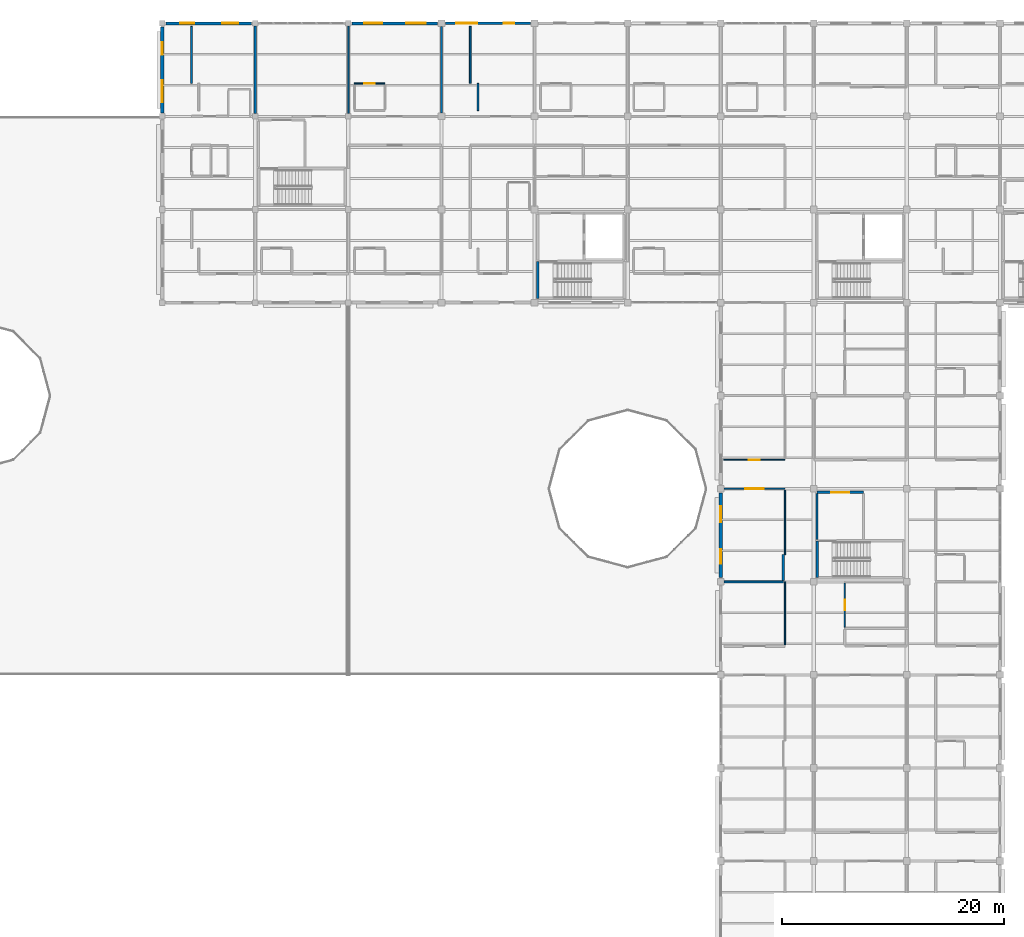
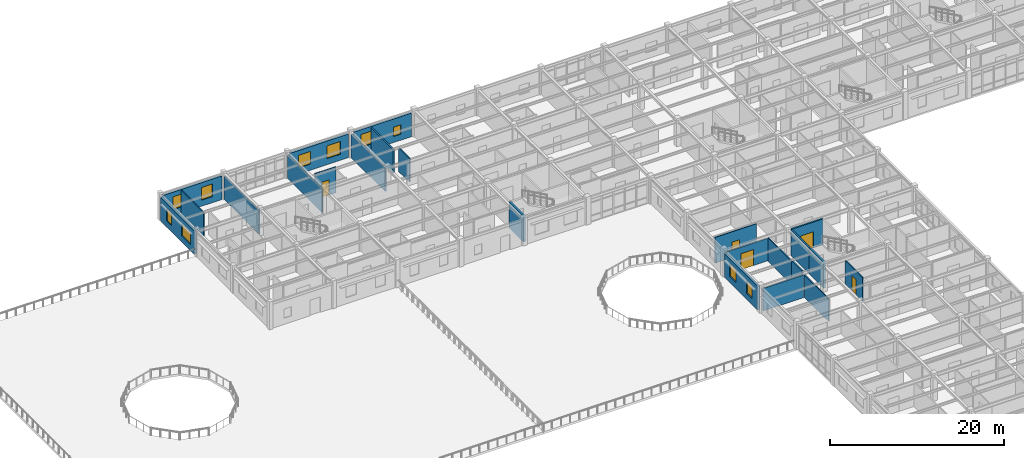
# One storey, part 58 of 86: 23 walls, 10 windows, 5 doors, 15 openings.
"""IFC4 building model written with IfcOpenShell, lengths in metres."""

from ifc_helpers import new_model, si_unit, direction, frame, frame_2d, origin, place, context, subcontext, project, spatial, rectangle, extrude, material, layer, layer_set, type_object, element, fill, save


model = new_model("IFC4")

# Units and contexts
model_context = context("Model", 3, precision=1e-05, world=origin(), true_north=direction((0.0, 1.0)))
body_context = subcontext(model_context, "Body", "Model", "MODEL_VIEW")
ifc_project = project(units=[si_unit("LENGTHUNIT", "METRE"), si_unit("AREAUNIT", "SQUARE_METRE"), si_unit("VOLUMEUNIT", "CUBIC_METRE"), si_unit("PLANEANGLEUNIT", "RADIAN"), si_unit("MASSUNIT", "GRAM", prefix="KILO")], contexts=[model_context])

# Site, building, storey
site_placement = place(None, origin())
site = spatial("IfcSite", under=ifc_project, at=site_placement, CompositionType="ELEMENT")
building_placement = place(site_placement, origin())
building = spatial("IfcBuilding", under=site, at=building_placement, Name="Bramfleet General Hospital", CompositionType="ELEMENT")
storey_placement = place(building_placement, frame((0.0, 0.0, 18.60009765625)))
storey = spatial("IfcBuildingStorey", under=building, at=storey_placement, Name="L04", CompositionType="ELEMENT", Elevation=18.60009765625)

# Wall, openings, windows
ifc_material_1 = material(Name="Precast concrete C40/50", Category="concrete")
ifc_layer_1 = layer(ifc_material_1, 0.3349609375, Name="WT-EW-03")
ifc_layer_set_1 = layer_set([ifc_layer_1], Name="Precast concrete C40/50")
wall_type_1 = type_object("IfcWallType", Name="WT-EW-03", PredefinedType="SOLIDWALL", material=ifc_layer_set_1)
wall_1_placement = place(storey_placement, frame((92.39990234375, 67.574951171875, 0.0), z_axis=(0.0, 0.0, 1.0), x_axis=(0.0, 1.0, 0.0)))
wall_1 = element("IfcWall", 1, at=wall_1_placement, inside=storey, type_object=wall_type_1, Name="L04 Exterior Wall 330", PredefinedType="SOLIDWALL", context=body_context, shape_type="SweptSolid", body=[
    extrude(rectangle(XDim=7.650146484375, YDim=0.3349609375, at=frame_2d((3.8251953125, 0.0))), origin(), (0.0, 0.0, 1.0), 3.309814453125),
])
opening_1_placement = place(wall_1_placement, frame((1.262451171875, 0.0, 0.85009765625)))
opening_1 = element("IfcOpeningElement", 2, at=opening_1_placement, cuts=wall_1, Name="Opening W-42", PredefinedType="OPENING", context=body_context, shape_type="SweptSolid", body=[
    extrude(rectangle(XDim=1.300048828125, YDim=1.780029296875, at=frame_2d((0.64990234375, 0.89013671875))), frame((0.0, 0.177490234375, 0.0), z_axis=(0.0, -1.0, 0.0), x_axis=(1.0, 0.0, 0.0)), (0.0, 0.0, 1.0), 0.35498046875),
])
opening_2_placement = place(wall_1_placement, frame((5.012451171875, 0.0, 0.85009765625)))
opening_2 = element("IfcOpeningElement", 3, at=opening_2_placement, cuts=wall_1, Name="Opening W-43", PredefinedType="OPENING", context=body_context, shape_type="SweptSolid", body=[
    extrude(rectangle(XDim=1.449951171875, YDim=1.780029296875, at=frame_2d((0.72509765625, 0.89013671875))), frame((0.0, 0.177490234375, 0.0), z_axis=(0.0, -1.0, 0.0), x_axis=(1.0, 0.0, 0.0)), (0.0, 0.0, 1.0), 0.35498046875),
])
ifc_material_2 = material(Name="Anodised aluminium and low-E triple glazing", Category="aluminium")
window_type_1 = type_object("IfcWindowType", Name="WIN-W-42", PartitioningType="SINGLE_PANEL", PredefinedType="WINDOW", material=ifc_material_2)
window_1_placement = place(opening_1_placement, origin())
window_1 = element("IfcWindow", 4, at=window_1_placement, inside=storey, type_object=window_type_1, Name="L04 Facade Window WIN-L04-330-1", OverallHeight=1.780029296875, OverallWidth=1.300048828125, PartitioningType="SINGLE_PANEL", PredefinedType="WINDOW", context=body_context, shape_type="SweptSolid", body=[
    extrude(rectangle(XDim=1.300048828125, YDim=1.780029296875, at=frame_2d((0.64990234375, 0.89013671875))), frame((0.0, 0.030029296875, 0.0), z_axis=(0.0, -1.0, 0.0), x_axis=(1.0, 0.0, 0.0)), (0.0, 0.0, 1.0), 0.06005859375),
])
fill(opening_1, window_1)
window_type_2 = type_object("IfcWindowType", Name="WIN-W-43", PartitioningType="SINGLE_PANEL", PredefinedType="WINDOW", material=ifc_material_2)
window_2_placement = place(opening_2_placement, origin())
window_2 = element("IfcWindow", 5, at=window_2_placement, inside=storey, type_object=window_type_2, Name="L04 Facade Window WIN-L04-330-2", OverallHeight=1.780029296875, OverallWidth=1.449951171875, PartitioningType="SINGLE_PANEL", PredefinedType="WINDOW", context=body_context, shape_type="SweptSolid", body=[
    extrude(rectangle(XDim=1.449951171875, YDim=1.780029296875, at=frame_2d((0.72509765625, 0.89013671875))), frame((0.0, 0.030029296875, 0.0), z_axis=(0.0, -1.0, 0.0), x_axis=(1.0, 0.0, 0.0)), (0.0, 0.0, 1.0), 0.06005859375),
])
fill(opening_2, window_2)

ifc_layer_2 = layer(ifc_material_1, 0.294921875, Name="WT-EW-05")
ifc_layer_set_2 = layer_set([ifc_layer_2], Name="Precast concrete C40/50")
wall_type_2 = type_object("IfcWallType", Name="WT-EW-05", PredefinedType="SOLIDWALL", material=ifc_layer_set_2)
wall_2_placement = place(storey_placement, frame((42.0, 109.52490234375, 0.0), z_axis=(0.0, 0.0, 1.0), x_axis=(0.0, 1.0, 0.0)))
wall_2 = element("IfcWall", 6, at=wall_2_placement, inside=storey, type_object=wall_type_2, Name="L04 Exterior Wall 283", PredefinedType="SOLIDWALL", context=body_context, shape_type="SweptSolid", body=[
    extrude(rectangle(XDim=7.75, YDim=0.294921875, at=frame_2d((3.875, 0.0))), origin(), (0.0, 0.0, 1.0), 3.2998046875),
])
opening_3_placement = place(wall_2_placement, frame((0.9375, 0.0, 0.85009765625)))
opening_3 = element("IfcOpeningElement", 7, at=opening_3_placement, cuts=wall_2, Name="Opening W-40", PredefinedType="OPENING", context=body_context, shape_type="SweptSolid", body=[
    extrude(rectangle(XDim=2.0, YDim=1.659912109375, at=frame_2d((1.0, 0.830078125))), frame((0.0, 0.157470703125, 0.0), z_axis=(0.0, -1.0, 0.0), x_axis=(1.0, 0.0, 0.0)), (0.0, 0.0, 1.0), 0.31494140625),
])
opening_4_placement = place(wall_2_placement, frame((5.237548828125, 0.0, 0.85009765625)))
opening_4 = element("IfcOpeningElement", 8, at=opening_4_placement, cuts=wall_2, Name="Opening W-41", PredefinedType="OPENING", context=body_context, shape_type="SweptSolid", body=[
    extrude(rectangle(XDim=1.14990234375, YDim=1.780029296875, at=frame_2d((0.574951171875, 0.89013671875))), frame((0.0, 0.157470703125, 0.0), z_axis=(0.0, -1.0, 0.0), x_axis=(1.0, 0.0, 0.0)), (0.0, 0.0, 1.0), 0.31494140625),
])
window_type_3 = type_object("IfcWindowType", Name="WIN-W-40", PartitioningType="SINGLE_PANEL", PredefinedType="WINDOW", material=ifc_material_2)
window_3_placement = place(opening_3_placement, origin())
window_3 = element("IfcWindow", 9, at=window_3_placement, inside=storey, type_object=window_type_3, Name="L04 Facade Window WIN-L04-283-1", OverallHeight=1.659912109375, OverallWidth=2.0, PartitioningType="SINGLE_PANEL", PredefinedType="WINDOW", context=body_context, shape_type="SweptSolid", body=[
    extrude(rectangle(XDim=2.0, YDim=1.659912109375, at=frame_2d((1.0, 0.830078125))), frame((0.0, 0.030029296875, 0.0), z_axis=(0.0, -1.0, 0.0), x_axis=(1.0, 0.0, 0.0)), (0.0, 0.0, 1.0), 0.06005859375),
])
fill(opening_3, window_3)
window_type_4 = type_object("IfcWindowType", Name="WIN-W-41", PartitioningType="SINGLE_PANEL", PredefinedType="WINDOW", material=ifc_material_2)
window_4_placement = place(opening_4_placement, origin())
window_4 = element("IfcWindow", 10, at=window_4_placement, inside=storey, type_object=window_type_4, Name="L04 Facade Window WIN-L04-283-2", OverallHeight=1.780029296875, OverallWidth=1.14990234375, PartitioningType="SINGLE_PANEL", PredefinedType="WINDOW", context=body_context, shape_type="SweptSolid", body=[
    extrude(rectangle(XDim=1.14990234375, YDim=1.780029296875, at=frame_2d((0.574951171875, 0.89013671875))), frame((0.0, 0.030029296875, 0.0), z_axis=(0.0, -1.0, 0.0), x_axis=(1.0, 0.0, 0.0)), (0.0, 0.0, 1.0), 0.06005859375),
])
fill(opening_4, window_4)

ifc_layer_3 = layer(ifc_material_1, 0.280029296875, Name="WT-EW-06")
ifc_layer_set_3 = layer_set([ifc_layer_3], Name="Precast concrete C40/50")
wall_type_3 = type_object("IfcWallType", Name="WT-EW-06", PredefinedType="SOLIDWALL", material=ifc_layer_set_3)
wall_3_placement = place(storey_placement, frame((42.324951171875, 117.60009765625, 0.0), z_axis=(0.0, 0.0, 1.0), x_axis=(1.0, 0.0, 0.0)))
wall_3 = element("IfcWall", 11, at=wall_3_placement, inside=storey, type_object=wall_type_3, Name="L04 Exterior Wall 284", PredefinedType="SOLIDWALL", context=body_context, shape_type="SweptSolid", body=[
    extrude(rectangle(XDim=7.75, YDim=0.280029296875, at=frame_2d((3.875, 0.0))), origin(), (0.0, 0.0, 1.0), 3.2998046875),
])
opening_5_placement = place(wall_3_placement, frame((1.28759765625, 0.0, 0.85009765625)))
opening_5 = element("IfcOpeningElement", 12, at=opening_5_placement, cuts=wall_3, Name="Opening W-42", PredefinedType="OPENING", context=body_context, shape_type="SweptSolid", body=[
    extrude(rectangle(XDim=1.300048828125, YDim=1.780029296875, at=frame_2d((0.64990234375, 0.89013671875))), frame((0.0, 0.14990234375, 0.0), z_axis=(0.0, -1.0, 0.0), x_axis=(1.0, 0.0, 0.0)), (0.0, 0.0, 1.0), 0.300048828125),
])
opening_6_placement = place(wall_3_placement, frame((5.08740234375, 0.0, 0.85009765625)))
opening_6 = element("IfcOpeningElement", 13, at=opening_6_placement, cuts=wall_3, Name="Opening W-43", PredefinedType="OPENING", context=body_context, shape_type="SweptSolid", body=[
    extrude(rectangle(XDim=1.449951171875, YDim=1.780029296875, at=frame_2d((0.72509765625, 0.89013671875))), frame((0.0, 0.14990234375, 0.0), z_axis=(0.0, -1.0, 0.0), x_axis=(1.0, 0.0, 0.0)), (0.0, 0.0, 1.0), 0.300048828125),
])
window_5_placement = place(opening_5_placement, origin())
window_5 = element("IfcWindow", 14, at=window_5_placement, inside=storey, type_object=window_type_1, Name="L04 Facade Window WIN-L04-284-1", OverallHeight=1.780029296875, OverallWidth=1.300048828125, PartitioningType="SINGLE_PANEL", PredefinedType="WINDOW", context=body_context, shape_type="SweptSolid", body=[
    extrude(rectangle(XDim=1.300048828125, YDim=1.780029296875, at=frame_2d((0.64990234375, 0.89013671875))), frame((0.0, 0.030029296875, 0.0), z_axis=(0.0, -1.0, 0.0), x_axis=(1.0, 0.0, 0.0)), (0.0, 0.0, 1.0), 0.06005859375),
])
fill(opening_5, window_5)
window_6_placement = place(opening_6_placement, origin())
window_6 = element("IfcWindow", 15, at=window_6_placement, inside=storey, type_object=window_type_2, Name="L04 Facade Window WIN-L04-284-2", OverallHeight=1.780029296875, OverallWidth=1.449951171875, PartitioningType="SINGLE_PANEL", PredefinedType="WINDOW", context=body_context, shape_type="SweptSolid", body=[
    extrude(rectangle(XDim=1.449951171875, YDim=1.780029296875, at=frame_2d((0.72509765625, 0.89013671875))), frame((0.0, 0.030029296875, 0.0), z_axis=(0.0, -1.0, 0.0), x_axis=(1.0, 0.0, 0.0)), (0.0, 0.0, 1.0), 0.06005859375),
])
fill(opening_6, window_6)

ifc_layer_4 = layer(ifc_material_1, 0.264892578125, Name="WT-EW-07")
ifc_layer_set_4 = layer_set([ifc_layer_4], Name="Precast concrete C40/50")
wall_type_4 = type_object("IfcWallType", Name="WT-EW-07", PredefinedType="SOLIDWALL", material=ifc_layer_set_4)
wall_4_placement = place(storey_placement, frame((59.125, 117.60009765625, 0.0), z_axis=(0.0, 0.0, 1.0), x_axis=(1.0, 0.0, 0.0)))
wall_4 = element("IfcWall", 16, at=wall_4_placement, inside=storey, type_object=wall_type_4, Name="L04 Exterior Wall 285", PredefinedType="SOLIDWALL", context=body_context, shape_type="SweptSolid", body=[
    extrude(rectangle(XDim=7.699951171875, YDim=0.264892578125, at=frame_2d((3.85009765625, 0.0))), origin(), (0.0, 0.0, 1.0), 3.309814453125),
])
opening_7_placement = place(wall_4_placement, frame((1.125, 0.0, 0.85009765625)))
opening_7 = element("IfcOpeningElement", 17, at=opening_7_placement, cuts=wall_4, Name="Opening W-44", PredefinedType="OPENING", context=body_context, shape_type="SweptSolid", body=[
    extrude(rectangle(XDim=1.60009765625, YDim=1.780029296875, at=frame_2d((0.800048828125, 0.89013671875))), frame((0.0, 0.142333984375, 0.0), z_axis=(0.0, -1.0, 0.0), x_axis=(1.0, 0.0, 0.0)), (0.0, 0.0, 1.0), 0.284912109375),
])
opening_8_placement = place(wall_4_placement, frame((4.89990234375, 0.0, 0.85009765625)))
opening_8 = element("IfcOpeningElement", 18, at=opening_8_placement, cuts=wall_4, Name="Opening W-45", PredefinedType="OPENING", context=body_context, shape_type="SweptSolid", body=[
    extrude(rectangle(XDim=1.75, YDim=1.780029296875, at=frame_2d((0.875, 0.89013671875))), frame((0.0, 0.142333984375, 0.0), z_axis=(0.0, -1.0, 0.0), x_axis=(1.0, 0.0, 0.0)), (0.0, 0.0, 1.0), 0.284912109375),
])
window_type_5 = type_object("IfcWindowType", Name="WIN-W-44", PartitioningType="SINGLE_PANEL", PredefinedType="WINDOW", material=ifc_material_2)
window_7_placement = place(opening_7_placement, origin())
window_7 = element("IfcWindow", 19, at=window_7_placement, inside=storey, type_object=window_type_5, Name="L04 Facade Window WIN-L04-285-1", OverallHeight=1.780029296875, OverallWidth=1.60009765625, PartitioningType="SINGLE_PANEL", PredefinedType="WINDOW", context=body_context, shape_type="SweptSolid", body=[
    extrude(rectangle(XDim=1.60009765625, YDim=1.780029296875, at=frame_2d((0.800048828125, 0.89013671875))), frame((0.0, 0.030029296875, 0.0), z_axis=(0.0, -1.0, 0.0), x_axis=(1.0, 0.0, 0.0)), (0.0, 0.0, 1.0), 0.06005859375),
])
fill(opening_7, window_7)
window_type_6 = type_object("IfcWindowType", Name="WIN-W-45", PartitioningType="SINGLE_PANEL", PredefinedType="WINDOW", material=ifc_material_2)
window_8_placement = place(opening_8_placement, origin())
window_8 = element("IfcWindow", 20, at=window_8_placement, inside=storey, type_object=window_type_6, Name="L04 Facade Window WIN-L04-285-2", OverallHeight=1.780029296875, OverallWidth=1.75, PartitioningType="SINGLE_PANEL", PredefinedType="WINDOW", context=body_context, shape_type="SweptSolid", body=[
    extrude(rectangle(XDim=1.75, YDim=1.780029296875, at=frame_2d((0.875, 0.89013671875))), frame((0.0, 0.030029296875, 0.0), z_axis=(0.0, -1.0, 0.0), x_axis=(1.0, 0.0, 0.0)), (0.0, 0.0, 1.0), 0.06005859375),
])
fill(opening_8, window_8)

ifc_layer_5 = layer(ifc_material_1, 0.25, Name="WT-EW-08")
ifc_layer_set_5 = layer_set([ifc_layer_5], Name="Precast concrete C40/50")
wall_type_5 = type_object("IfcWallType", Name="WT-EW-08", PredefinedType="SOLIDWALL", material=ifc_layer_set_5)
wall_5_placement = place(storey_placement, frame((67.574951171875, 117.60009765625, 0.0), z_axis=(0.0, 0.0, 1.0), x_axis=(1.0, 0.0, 0.0)))
wall_5 = element("IfcWall", 21, at=wall_5_placement, inside=storey, type_object=wall_type_5, Name="L04 Exterior Wall 286", PredefinedType="SOLIDWALL", context=body_context, shape_type="SweptSolid", body=[
    extrude(rectangle(XDim=7.650146484375, YDim=0.25, at=frame_2d((3.8251953125, 0.0))), origin(), (0.0, 0.0, 1.0), 3.309814453125),
])
opening_9_placement = place(wall_5_placement, frame((0.96240234375, 0.0, 0.85009765625)))
opening_9 = element("IfcOpeningElement", 22, at=opening_9_placement, cuts=wall_5, Name="Opening W-46", PredefinedType="OPENING", context=body_context, shape_type="SweptSolid", body=[
    extrude(rectangle(XDim=1.89990234375, YDim=1.780029296875, at=frame_2d((0.949951171875, 0.89013671875))), frame((0.0, 0.135009765625, 0.0), z_axis=(0.0, -1.0, 0.0), x_axis=(1.0, 0.0, 0.0)), (0.0, 0.0, 1.0), 0.27001953125),
])
opening_10_placement = place(wall_5_placement, frame((5.262451171875, 0.0, 0.85009765625)))
opening_10 = element("IfcOpeningElement", 23, at=opening_10_placement, cuts=wall_5, Name="Opening W-01", PredefinedType="OPENING", context=body_context, shape_type="SweptSolid", body=[
    extrude(rectangle(XDim=0.949951171875, YDim=1.300048828125, at=frame_2d((0.47509765625, 0.64990234375))), frame((0.0, 0.135009765625, 0.0), z_axis=(0.0, -1.0, 0.0), x_axis=(1.0, 0.0, 0.0)), (0.0, 0.0, 1.0), 0.27001953125),
])
window_type_7 = type_object("IfcWindowType", Name="WIN-W-01", PartitioningType="SINGLE_PANEL", PredefinedType="WINDOW", material=ifc_material_2)
window_9_placement = place(opening_10_placement, origin())
window_9 = element("IfcWindow", 24, at=window_9_placement, inside=storey, type_object=window_type_7, Name="L04 Facade Window WIN-L04-286-2", OverallHeight=1.300048828125, OverallWidth=0.949951171875, PartitioningType="SINGLE_PANEL", PredefinedType="WINDOW", context=body_context, shape_type="SweptSolid", body=[
    extrude(rectangle(XDim=0.949951171875, YDim=1.300048828125, at=frame_2d((0.47509765625, 0.64990234375))), frame((0.0, 0.030029296875, 0.0), z_axis=(0.0, -1.0, 0.0), x_axis=(1.0, 0.0, 0.0)), (0.0, 0.0, 1.0), 0.06005859375),
])
fill(opening_10, window_9)
window_type_8 = type_object("IfcWindowType", Name="WIN-W-46", PartitioningType="SINGLE_PANEL", PredefinedType="WINDOW", material=ifc_material_2)
window_10_placement = place(opening_9_placement, origin())
window_10 = element("IfcWindow", 25, at=window_10_placement, inside=storey, type_object=window_type_8, Name="L04 Facade Window WIN-L04-286-1", OverallHeight=1.780029296875, OverallWidth=1.89990234375, PartitioningType="SINGLE_PANEL", PredefinedType="WINDOW", context=body_context, shape_type="SweptSolid", body=[
    extrude(rectangle(XDim=1.89990234375, YDim=1.780029296875, at=frame_2d((0.949951171875, 0.89013671875))), frame((0.0, 0.030029296875, 0.0), z_axis=(0.0, -1.0, 0.0), x_axis=(1.0, 0.0, 0.0)), (0.0, 0.0, 1.0), 0.06005859375),
])
fill(opening_9, window_10)

# Walls
ifc_material_3 = material(Name="Concrete C35/45", Category="concrete")
ifc_layer_6 = layer(ifc_material_3, 0.219970703125, Name="WT-IW-01")
ifc_layer_set_6 = layer_set([ifc_layer_6], Name="Concrete C35/45")
wall_type_6 = type_object("IfcWallType", Name="WT-IW-01", PredefinedType="PARTITIONING", material=ifc_layer_set_6)
wall_6_placement = place(storey_placement, frame((98.050048828125, 67.31494140625, 0.0), z_axis=(0.0, 0.0, 1.0), x_axis=(0.0, 1.0, 0.0)))
element("IfcWall", 26, at=wall_6_placement, inside=storey, type_object=wall_type_6, Name="L04 Interior Partition IW-L04-3337", PredefinedType="PARTITIONING", context=body_context, shape_type="SweptSolid", body=[
    extrude(rectangle(XDim=2.3349609375, YDim=0.219970703125, at=frame_2d((1.16748046875, 0.0))), origin(), (0.0, 0.0, 1.0), 3.60986328125),
])
ifc_layer_7 = layer(ifc_material_3, 0.205078125, Name="WT-IW-02")
ifc_layer_set_7 = layer_set([ifc_layer_7], Name="Concrete C35/45")
wall_type_7 = type_object("IfcWallType", Name="WT-IW-02", PredefinedType="PARTITIONING", material=ifc_layer_set_7)
wall_7_placement = place(storey_placement, frame((101.10009765625, 71.0400390625, 0.0), z_axis=(0.0, 0.0, 1.0), x_axis=(0.0, 1.0, 0.0)))
element("IfcWall", 27, at=wall_7_placement, inside=storey, type_object=wall_type_7, Name="L04 C11 Lobby West Compartment Wall", PredefinedType="PARTITIONING", context=body_context, shape_type="SweptSolid", body=[
    extrude(rectangle(XDim=4.119873046875, YDim=0.205078125, at=frame_2d((2.06005859375, 0.0))), origin(), (0.0, 0.0, 1.0), 3.60986328125),
])

# Wall, opening, door
wall_8_placement = place(storey_placement, frame((101.10009765625, 75.280029296875, 0.0), z_axis=(0.0, 0.0, 1.0), x_axis=(1.0, 0.0, 0.0)))
wall_8 = element("IfcWall", 28, at=wall_8_placement, inside=storey, type_object=wall_type_7, Name="L04 C11 Lobby North Compartment Wall", PredefinedType="PARTITIONING", context=body_context, shape_type="SweptSolid", body=[
    extrude(rectangle(XDim=4.179931640625, YDim=0.205078125, at=frame_2d((2.08984375, 0.0))), origin(), (0.0, 0.0, 1.0), 3.60986328125),
])
opening_11_placement = place(wall_8_placement, frame((1.2900390625, 0.0, 0.0)))
opening_11 = element("IfcOpeningElement", 29, at=opening_11_placement, cuts=wall_8, Name="Opening D0148", PredefinedType="OPENING", context=body_context, shape_type="SweptSolid", body=[
    extrude(rectangle(XDim=1.60009765625, YDim=2.25, at=frame_2d((0.800048828125, 1.125))), frame((0.0, 0.112548828125, 0.0), z_axis=(0.0, -1.0, 0.0), x_axis=(1.0, 0.0, 0.0)), (0.0, 0.0, 1.0), 0.22509765625),
])
ifc_material_4 = material(Name="Stainless steel and acoustic timber leaf", Category="steel")
door_type_1 = type_object("IfcDoorType", Name="DR-D-04", OperationType="NOTDEFINED", PredefinedType="DOOR", material=ifc_material_4)
door_1_placement = place(opening_11_placement, origin())
door_1 = element("IfcDoor", 30, at=door_1_placement, inside=storey, type_object=door_type_1, Name="L04 C11 Lobby Fire Door D0148", OperationType="DOUBLE_SWING_LEFT", OverallHeight=2.25, OverallWidth=1.60009765625, PredefinedType="DOOR", context=body_context, shape_type="SweptSolid", body=[
    extrude(rectangle(XDim=1.60009765625, YDim=2.25, at=frame_2d((0.800048828125, 1.125))), frame((0.0, 0.02490234375, 0.0), z_axis=(0.0, -1.0, 0.0), x_axis=(1.0, 0.0, 0.0)), (0.0, 0.0, 1.0), 0.050048828125),
])
fill(opening_11, door_1)

# Walls
wall_9_placement = place(storey_placement, frame((50.39990234375, 109.445068359375, 0.0), z_axis=(0.0, 0.0, 1.0), x_axis=(0.0, 1.0, 0.0)))
element("IfcWall", 31, at=wall_9_placement, inside=storey, type_object=wall_type_7, Name="L04 Interior Partition IW-L04-3290", PredefinedType="PARTITIONING", context=body_context, shape_type="SweptSolid", body=[
    extrude(rectangle(XDim=7.909912109375, YDim=0.205078125, at=frame_2d((3.955078125, 0.0))), origin(), (0.0, 0.0, 1.0), 3.25),
])
wall_10_placement = place(storey_placement, frame((67.199951171875, 109.4951171875, 0.0), z_axis=(0.0, 0.0, 1.0), x_axis=(0.0, 1.0, 0.0)))
element("IfcWall", 32, at=wall_10_placement, inside=storey, type_object=wall_type_7, Name="L04 Interior Partition IW-L04-3302", PredefinedType="PARTITIONING", context=body_context, shape_type="SweptSolid", body=[
    extrude(rectangle(XDim=7.809814453125, YDim=0.205078125, at=frame_2d((3.90478515625, 0.0))), origin(), (0.0, 0.0, 1.0), 3.260009765625),
])
ifc_material_5 = material(Name="Gypsum plasterboard on acoustic steel studs", Category="steel")
ifc_layer_8 = layer(ifc_material_5, 0.169921875, Name="WT-IW-05")
ifc_layer_set_8 = layer_set([ifc_layer_8], Name="Gypsum plasterboard on acoustic steel studs")
wall_type_8 = type_object("IfcWallType", Name="WT-IW-05", PredefinedType="PARTITIONING", material=ifc_layer_set_8)
wall_11_placement = place(storey_placement, frame((92.695068359375, 67.199951171875, 0.0), z_axis=(0.0, 0.0, 1.0), x_axis=(1.0, 0.0, 0.0)))
element("IfcWall", 33, at=wall_11_placement, inside=storey, type_object=wall_type_8, Name="L04 Interior Partition IW-L04-3161", PredefinedType="PARTITIONING", context=body_context, shape_type="SweptSolid", body=[
    extrude(rectangle(XDim=5.35498046875, YDim=0.169921875, at=frame_2d((2.677490234375, 0.0))), origin(), (0.0, 0.0, 1.0), 3.159912109375),
])
wall_12_placement = place(storey_placement, frame((69.800048828125, 112.169921875, 0.0), z_axis=(0.0, 0.0, 1.0), x_axis=(0.0, 1.0, 0.0)))
element("IfcWall", 34, at=wall_12_placement, inside=storey, type_object=wall_type_8, Name="L04 Interior Partition IW-L04-3305", PredefinedType="PARTITIONING", context=body_context, shape_type="SweptSolid", body=[
    extrude(rectangle(XDim=5.150146484375, YDim=0.169921875, at=frame_2d((2.5751953125, 0.0))), origin(), (0.0, 0.0, 1.0), 3.309814453125),
])
ifc_layer_9 = layer(ifc_material_5, 0.159912109375, Name="WT-IW-06")
ifc_layer_set_9 = layer_set([ifc_layer_9], Name="Gypsum plasterboard on acoustic steel studs")
wall_type_9 = type_object("IfcWallType", Name="WT-IW-06", PredefinedType="PARTITIONING", material=ifc_layer_set_9)
wall_13_placement = place(storey_placement, frame((44.64990234375, 112.169921875, 0.0), z_axis=(0.0, 0.0, 1.0), x_axis=(0.0, 1.0, 0.0)))
element("IfcWall", 35, at=wall_13_placement, inside=storey, type_object=wall_type_9, Name="L04 Interior Partition IW-L04-3282", PredefinedType="PARTITIONING", context=body_context, shape_type="SweptSolid", body=[
    extrude(rectangle(XDim=5.150146484375, YDim=0.159912109375, at=frame_2d((2.5751953125, 0.0))), origin(), (0.0, 0.0, 1.0), 3.2998046875),
])
ifc_layer_10 = layer(ifc_material_5, 0.14990234375, Name="WT-IW-07")
ifc_layer_set_10 = layer_set([ifc_layer_10], Name="Gypsum plasterboard on acoustic steel studs")
wall_type_10 = type_object("IfcWallType", Name="WT-IW-07", PredefinedType="PARTITIONING", material=ifc_layer_set_10)
wall_14_placement = place(storey_placement, frame((58.800048828125, 109.445068359375, 0.0), z_axis=(0.0, 0.0, 1.0), x_axis=(0.0, 1.0, 0.0)))
element("IfcWall", 36, at=wall_14_placement, inside=storey, type_object=wall_type_10, Name="L04 Interior Partition IW-L04-3295", PredefinedType="PARTITIONING", context=body_context, shape_type="SweptSolid", body=[
    extrude(rectangle(XDim=7.909912109375, YDim=0.14990234375, at=frame_2d((3.955078125, 0.0))), origin(), (0.0, 0.0, 1.0), 3.260009765625),
])
wall_15_placement = place(storey_placement, frame((70.5, 109.719970703125, 0.0), z_axis=(0.0, 0.0, 1.0), x_axis=(0.0, 1.0, 0.0)))
element("IfcWall", 37, at=wall_15_placement, inside=storey, type_object=wall_type_10, Name="L04 Interior Partition IW-L04-3307", PredefinedType="PARTITIONING", context=body_context, shape_type="SweptSolid", body=[
    extrude(rectangle(XDim=2.449951171875, YDim=0.14990234375, at=frame_2d((1.22509765625, 0.0))), origin(), (0.0, 0.0, 1.0), 3.309814453125),
])

# Wall, opening, door
ifc_layer_11 = layer(ifc_material_5, 0.1201171875, Name="WT-IW-10")
ifc_layer_set_11 = layer_set([ifc_layer_11], Name="Gypsum plasterboard on acoustic steel studs")
wall_type_11 = type_object("IfcWallType", Name="WT-IW-10", PredefinedType="PARTITIONING", material=ifc_layer_set_11)
wall_16_placement = place(storey_placement, frame((92.695068359375, 75.60009765625, 0.0), z_axis=(0.0, 0.0, 1.0), x_axis=(1.0, 0.0, 0.0)))
wall_16 = element("IfcWall", 38, at=wall_16_placement, inside=storey, type_object=wall_type_11, Name="L04 Interior Partition IW-L04-3166", PredefinedType="PARTITIONING", context=body_context, shape_type="SweptSolid", body=[
    extrude(rectangle(XDim=5.5048828125, YDim=0.1201171875, at=frame_2d((2.75244140625, 0.0))), origin(), (0.0, 0.0, 1.0), 3.159912109375),
])
opening_12_placement = place(wall_16_placement, frame((1.902587890625, 0.0, 0.0)))
opening_12 = element("IfcOpeningElement", 39, at=opening_12_placement, cuts=wall_16, Name="Opening D1255", PredefinedType="OPENING", context=body_context, shape_type="SweptSolid", body=[
    extrude(rectangle(XDim=1.699951171875, YDim=2.25, at=frame_2d((0.85009765625, 1.125))), frame((0.0, 0.070068359375, 0.0), z_axis=(0.0, -1.0, 0.0), x_axis=(1.0, 0.0, 0.0)), (0.0, 0.0, 1.0), 0.14013671875),
])
door_type_2 = type_object("IfcDoorType", Name="DR-D-07", OperationType="NOTDEFINED", PredefinedType="DOOR", material=ifc_material_4)
door_2_placement = place(opening_12_placement, origin())
door_2 = element("IfcDoor", 40, at=door_2_placement, inside=storey, type_object=door_type_2, Name="Surgical Inpatient Ward Bedroom L04-1108 Door D1255", OperationType="DOUBLE_SWING_RIGHT", OverallHeight=2.25, OverallWidth=1.699951171875, PredefinedType="DOOR", context=body_context, shape_type="SweptSolid", body=[
    extrude(rectangle(XDim=1.699951171875, YDim=2.25, at=frame_2d((0.85009765625, 1.125))), frame((0.0, 0.02490234375, 0.0), z_axis=(0.0, -1.0, 0.0), x_axis=(1.0, 0.0, 0.0)), (0.0, 0.0, 1.0), 0.050048828125),
])
fill(opening_12, door_2)

wall_17_placement = place(storey_placement, frame((59.35009765625, 112.169921875, 0.0), z_axis=(0.0, 0.0, 1.0), x_axis=(1.0, 0.0, 0.0)))
wall_17 = element("IfcWall", 41, at=wall_17_placement, inside=storey, type_object=wall_type_11, Name="L04 Interior Partition IW-L04-3270", PredefinedType="PARTITIONING", context=body_context, shape_type="SweptSolid", body=[
    extrude(rectangle(XDim=2.75, YDim=0.1201171875, at=frame_2d((1.375, 0.0))), origin(), (0.0, 0.0, 1.0), 3.60986328125),
])
opening_13_placement = place(wall_17_placement, frame((0.89990234375, 0.0, 0.0)))
opening_13 = element("IfcOpeningElement", 42, at=opening_13_placement, cuts=wall_17, Name="Opening D1232", PredefinedType="OPENING", context=body_context, shape_type="SweptSolid", body=[
    extrude(rectangle(XDim=0.949951171875, YDim=2.10009765625, at=frame_2d((0.47509765625, 1.050048828125))), frame((0.0, 0.070068359375, 0.0), z_axis=(0.0, -1.0, 0.0), x_axis=(1.0, 0.0, 0.0)), (0.0, 0.0, 1.0), 0.14013671875),
])
door_type_3 = type_object("IfcDoorType", Name="DR-D-10", OperationType="NOTDEFINED", PredefinedType="DOOR", material=ifc_material_4)
door_3_placement = place(opening_13_placement, origin())
door_3 = element("IfcDoor", 43, at=door_3_placement, inside=storey, type_object=door_type_3, Name="En-Suite Bathroom L04-0713 Door D1232", OperationType="SINGLE_SWING_LEFT", OverallHeight=2.10009765625, OverallWidth=0.949951171875, PredefinedType="DOOR", context=body_context, shape_type="SweptSolid", body=[
    extrude(rectangle(XDim=0.949951171875, YDim=2.10009765625, at=frame_2d((0.47509765625, 1.050048828125))), frame((0.0, 0.02490234375, 0.0), z_axis=(0.0, -1.0, 0.0), x_axis=(1.0, 0.0, 0.0)), (0.0, 0.0, 1.0), 0.050048828125),
])
fill(opening_13, door_3)

# Wall
wall_18_placement = place(storey_placement, frame((98.199951171875, 61.514892578125, 0.0), z_axis=(0.0, 0.0, 1.0), x_axis=(0.0, 1.0, 0.0)))
element("IfcWall", 44, at=wall_18_placement, inside=storey, type_object=wall_type_11, Name="L04 Interior Partition IW-L04-3346", PredefinedType="PARTITIONING", context=body_context, shape_type="SweptSolid", body=[
    extrude(rectangle(XDim=5.68505859375, YDim=0.1201171875, at=frame_2d((2.842529296875, 0.0))), origin(), (0.0, 0.0, 1.0), 3.159912109375),
])

# Wall, opening, door
wall_19_placement = place(storey_placement, frame((103.60009765625, 63.114990234375, 0.0), z_axis=(0.0, 0.0, 1.0), x_axis=(0.0, 1.0, 0.0)))
wall_19 = element("IfcWall", 45, at=wall_19_placement, inside=storey, type_object=wall_type_11, Name="L04 Interior Partition IW-L04-3363", PredefinedType="PARTITIONING", context=body_context, shape_type="SweptSolid", body=[
    extrude(rectangle(XDim=3.969970703125, YDim=0.1201171875, at=frame_2d((1.98486328125, 0.0))), origin(), (0.0, 0.0, 1.0), 3.309814453125),
])
opening_14_placement = place(wall_19_placement, frame((1.510009765625, 0.0, 0.0)))
opening_14 = element("IfcOpeningElement", 46, at=opening_14_placement, cuts=wall_19, Name="Opening D1269", PredefinedType="OPENING", context=body_context, shape_type="SweptSolid", body=[
    extrude(rectangle(XDim=0.949951171875, YDim=2.10009765625, at=frame_2d((0.47509765625, 1.050048828125))), frame((0.0, 0.070068359375, 0.0), z_axis=(0.0, -1.0, 0.0), x_axis=(1.0, 0.0, 0.0)), (0.0, 0.0, 1.0), 0.14013671875),
])
door_4_placement = place(opening_14_placement, origin())
door_4 = element("IfcDoor", 47, at=door_4_placement, inside=storey, type_object=door_type_3, Name="L04 Accessible and Staff WC 1207 Door D1269", OperationType="SINGLE_SWING_LEFT", OverallHeight=2.10009765625, OverallWidth=0.949951171875, PredefinedType="DOOR", context=body_context, shape_type="SweptSolid", body=[
    extrude(rectangle(XDim=0.949951171875, YDim=2.10009765625, at=frame_2d((0.47509765625, 1.050048828125))), frame((0.0, 0.02490234375, 0.0), z_axis=(0.0, -1.0, 0.0), x_axis=(1.0, 0.0, 0.0)), (0.0, 0.0, 1.0), 0.050048828125),
])
fill(opening_14, door_4)

# Wall
ifc_layer_12 = layer(ifc_material_5, 0.112060546875, Name="WT-IW-11")
ifc_layer_set_12 = layer_set([ifc_layer_12], Name="Gypsum plasterboard on acoustic steel studs")
wall_type_12 = type_object("IfcWallType", Name="WT-IW-11", PredefinedType="PARTITIONING", material=ifc_layer_set_12)
wall_20_placement = place(storey_placement, frame((98.199951171875, 69.64990234375, 0.0), z_axis=(0.0, 0.0, 1.0), x_axis=(0.0, 1.0, 0.0)))
element("IfcWall", 48, at=wall_20_placement, inside=storey, type_object=wall_type_12, Name="L04 Interior Partition IW-L04-3347", PredefinedType="PARTITIONING", context=body_context, shape_type="SweptSolid", body=[
    extrude(rectangle(XDim=5.835205078125, YDim=0.112060546875, at=frame_2d((2.91748046875, 0.0))), origin(), (0.0, 0.0, 1.0), 3.309814453125),
])

# Wall, opening, door
ifc_layer_13 = layer(ifc_material_5, 0.10009765625, Name="WT-IW-12")
ifc_layer_set_13 = layer_set([ifc_layer_13], Name="Gypsum plasterboard on acoustic steel studs")
wall_type_13 = type_object("IfcWallType", Name="WT-IW-12", PredefinedType="PARTITIONING", material=ifc_layer_set_13)
wall_21_placement = place(storey_placement, frame((92.679931640625, 78.199951171875, 0.0), z_axis=(0.0, 0.0, 1.0), x_axis=(1.0, 0.0, 0.0)))
wall_21 = element("IfcWall", 49, at=wall_21_placement, inside=storey, type_object=wall_type_13, Name="L04 Interior Partition IW-L04-3168", PredefinedType="PARTITIONING", context=body_context, shape_type="SweptSolid", body=[
    extrude(rectangle(XDim=5.52001953125, YDim=0.10009765625, at=frame_2d((2.760009765625, 0.0))), origin(), (0.0, 0.0, 1.0), 3.60986328125),
])
opening_15_placement = place(wall_21_placement, frame((2.260009765625, 0.0, 0.0)))
opening_15 = element("IfcOpeningElement", 50, at=opening_15_placement, cuts=wall_21, Name="Opening D1256", PredefinedType="OPENING", context=body_context, shape_type="SweptSolid", body=[
    extrude(rectangle(XDim=1.0, YDim=2.14990234375, at=frame_2d((0.5, 1.074951171875))), frame((0.0, 0.06005859375, 0.0), z_axis=(0.0, -1.0, 0.0), x_axis=(1.0, 0.0, 0.0)), (0.0, 0.0, 1.0), 0.1201171875),
])
door_type_4 = type_object("IfcDoorType", Name="DR-D-08", OperationType="NOTDEFINED", PredefinedType="DOOR", material=ifc_material_4)
door_5_placement = place(opening_15_placement, origin())
door_5 = element("IfcDoor", 51, at=door_5_placement, inside=storey, type_object=door_type_4, Name="Surgical Inpatient Ward Bedroom L04-1109 Door D1256", OperationType="SINGLE_SWING_LEFT", OverallHeight=2.14990234375, OverallWidth=1.0, PredefinedType="DOOR", context=body_context, shape_type="SweptSolid", body=[
    extrude(rectangle(XDim=1.0, YDim=2.14990234375, at=frame_2d((0.5, 1.074951171875))), frame((0.0, 0.02490234375, 0.0), z_axis=(0.0, -1.0, 0.0), x_axis=(1.0, 0.0, 0.0)), (0.0, 0.0, 1.0), 0.050048828125),
])
fill(opening_15, door_5)

# Walls
ifc_material_6 = material(Name="Concrete C40/50", Category="concrete")
ifc_layer_14 = layer(ifc_material_6, 0.239990234375, Name="WT-SW-240")
ifc_layer_set_14 = layer_set([ifc_layer_14], Name="Concrete C40/50")
wall_type_14 = type_object("IfcWallType", Name="WT-SW-240", PredefinedType="SHEAR", material=ifc_layer_set_14)
wall_22_placement = place(storey_placement, frame((75.89990234375, 92.780029296875, 0.0), z_axis=(0.0, 0.0, 1.0), x_axis=(0.0, 1.0, 0.0)))
element("IfcWall", 52, at=wall_22_placement, inside=storey, type_object=wall_type_14, Name="L04 C5 West Stair Shear Wall", PredefinedType="SHEAR", context=body_context, shape_type="SweptSolid", body=[
    extrude(rectangle(XDim=3.320068359375, YDim=0.239990234375, at=frame_2d((1.66015625, 0.0))), origin(), (0.0, 0.0, 1.0), 3.619873046875),
])
wall_23_placement = place(storey_placement, frame((101.10009765625, 67.580078125, 0.0), z_axis=(0.0, 0.0, 1.0), x_axis=(0.0, 1.0, 0.0)))
element("IfcWall", 53, at=wall_23_placement, inside=storey, type_object=wall_type_14, Name="L04 C11 West Stair Shear Wall", PredefinedType="SHEAR", context=body_context, shape_type="SweptSolid", body=[
    extrude(rectangle(XDim=3.31982421875, YDim=0.239990234375, at=frame_2d((1.659912109375, 0.0))), origin(), (0.0, 0.0, 1.0), 3.619873046875),
])

save(model, "model.ifc")
